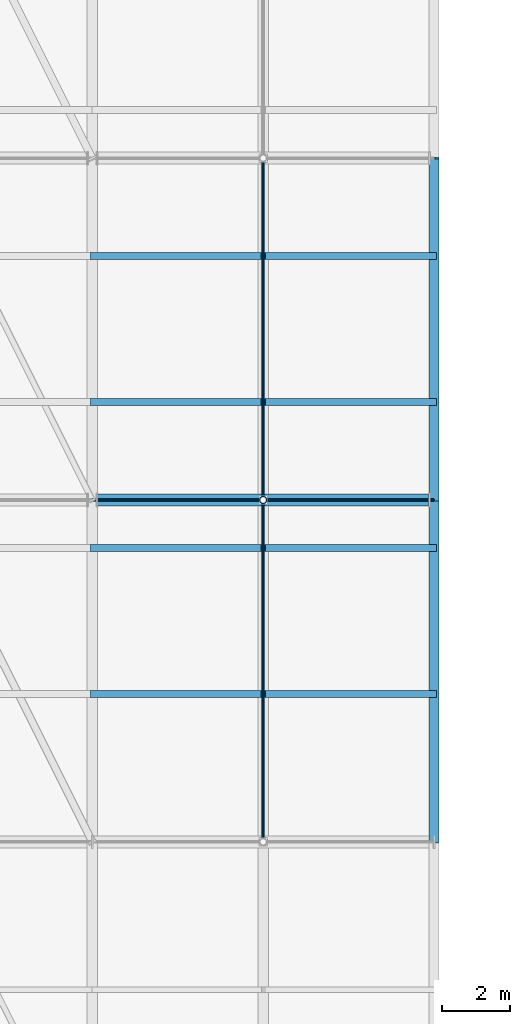
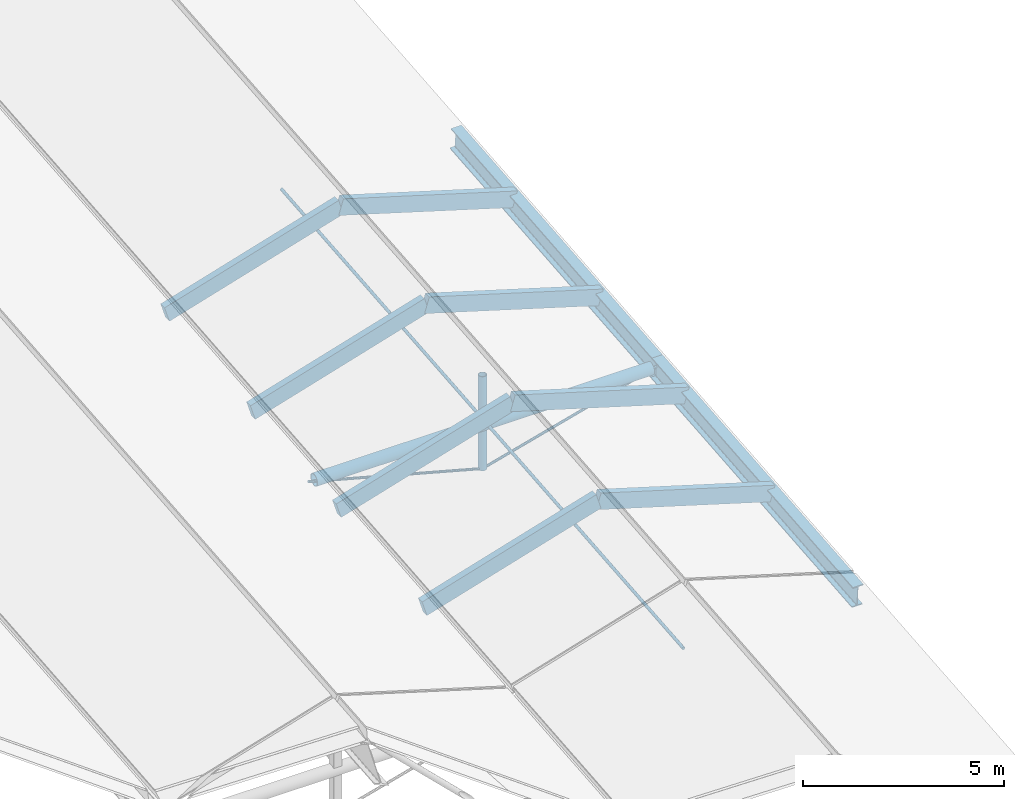
# One storey, part 35 of 90: 13 members, 3 beams.
"""IFC4 building model written with IfcOpenShell, lengths in metres."""

from ifc_helpers import new_model, si_unit, direction, frame, origin, origin_2d, place, context, subcontext, project, spatial, rectangle, circle, hollow_circle, i_section, extrude, material, material_profile, profile_set, type_object, element, save


model = new_model("IFC4")

# Units and contexts
model_context = context("Model", 3, precision=1e-05, world=origin(), true_north=direction((0.0, 1.0)))
body_context = subcontext(model_context, "Body", "Model", "MODEL_VIEW")
ifc_project = project(units=[si_unit("LENGTHUNIT", "METRE"), si_unit("AREAUNIT", "SQUARE_METRE"), si_unit("VOLUMEUNIT", "CUBIC_METRE"), si_unit("PLANEANGLEUNIT", "RADIAN"), si_unit("MASSUNIT", "GRAM", prefix="KILO"), si_unit("THERMODYNAMICTEMPERATUREUNIT", "KELVIN"), si_unit("POWERUNIT", "WATT")], contexts=[model_context])

# Site, building, storey
site_placement = place(None, origin())
site = spatial("IfcSite", under=ifc_project, at=site_placement, CompositionType="ELEMENT")
building_placement = place(site_placement, origin())
building = spatial("IfcBuilding", under=site, at=building_placement, Name="Korenveer Ferry Terminal", CompositionType="ELEMENT")
storey_placement = place(building_placement, frame((0.0, 0.0, 22.199951171875)))
storey = spatial("IfcBuildingStorey", under=building, at=storey_placement, Name="RF", CompositionType="ELEMENT", Elevation=22.199951171875)

# Beams
ifc_material_1 = material(Name="Steel S355", Category="steel")
ifc_material_profile_1 = material_profile(ifc_material_1, i_section(OverallWidth=0.300048828125, OverallDepth=0.64990234375, WebThickness=0.01611328125, FlangeThickness=0.031005859375, FilletRadius=0.027099609375, at=origin_2d()), Name="HEB 650")
ifc_profile_set_1 = profile_set([ifc_material_profile_1], Name="Steel S355")
beam_type_1 = type_object("IfcBeamType", Name="STR-BM-HEB650", PredefinedType="BEAM", material=ifc_profile_set_1)
beam_1_placement = place(storey_placement, frame((123.0, 50.0, -8.677734375), z_axis=(0.0, 0.995901174408, 0.090448055879), x_axis=(-1.0, 0.0, 0.0)))
element("IfcBeam", 1, at=beam_1_placement, inside=storey, type_object=beam_type_1, Name="Folded roof valley girder 56", PredefinedType="BEAM", context=body_context, shape_type="SweptSolid", body=[
    extrude(i_section(OverallWidth=0.300048828125, OverallDepth=0.64990234375, WebThickness=0.01611328125, FlangeThickness=0.031005859375, FilletRadius=0.027099609375, at=origin_2d()), origin(), (0.0, 0.0, 1.0), 10.041259765625),
])
beam_2_placement = place(storey_placement, frame((123.0, 60.0, -7.76953125), z_axis=(0.0, 0.995903364261, 0.090423940715), x_axis=(-1.0, 0.0, 0.0)))
element("IfcBeam", 2, at=beam_2_placement, inside=storey, type_object=beam_type_1, Name="Folded roof valley girder 57", PredefinedType="BEAM", context=body_context, shape_type="SweptSolid", body=[
    extrude(i_section(OverallWidth=0.300048828125, OverallDepth=0.64990234375, WebThickness=0.01611328125, FlangeThickness=0.031005859375, FilletRadius=0.027099609375, at=origin_2d()), origin(), (0.0, 0.0, 1.0), 10.041015625),
])

# Members
ifc_material_2 = material(Name="High-strength steel S460", Category="steel")
ifc_material_profile_2 = material_profile(ifc_material_2, circle(Radius=0.0380859375, at=origin_2d()), Name="ROD D76")
ifc_profile_set_2 = profile_set([ifc_material_profile_2], Name="High-strength steel S460")
member_type_1 = type_object("IfcMemberType", Name="STR-CBL-D76", PredefinedType="USERDEFINED", material=ifc_profile_set_2)
for number, where, z_axis, x_axis, name in (
    (3, (113.0, 60.0, -7.76953125), (0.965424337217, 0.0, -0.260683426993), (0.0, 1.0, 0.0), "Roof tension tie cable 41"),
    (4, (123.0, 60.0, -7.76953125), (-0.965424337217, 0.0, -0.260683426993), (0.0, -1.0, 0.0), "Roof tension tie cable 42"),
):
    element("IfcMember", number, at=place(storey_placement, frame(where, z_axis=z_axis, x_axis=x_axis)), inside=storey, type_object=member_type_1, Name=name, ObjectType="CABLE", PredefinedType="USERDEFINED", context=body_context, shape_type="SweptSolid", body=[
        extrude(circle(Radius=0.0380859375, at=origin_2d()), origin(), (0.0, 0.0, 1.0), 5.178955078125),
    ])
ifc_material_profile_3 = material_profile(ifc_material_2, circle(Radius=0.044921875, at=origin_2d()), Name="ROD D90")
ifc_profile_set_3 = profile_set([ifc_material_profile_3], Name="High-strength steel S460")
member_type_2 = type_object("IfcMemberType", Name="STR-CBL-D90", PredefinedType="USERDEFINED", material=ifc_profile_set_3)
for number, where, z_axis, x_axis, name in (
    (5, (118.0, 50.0, -8.517822265625), (0.0, 0.995903364261, 0.090423940715), (-1.0, 0.0, 0.0), "Longitudinal jaw-stay cable 129"),
    (6, (118.0, 60.0, -7.60986328125), (0.0, 0.995903364261, 0.090423940715), (-1.0, 0.0, 0.0), "Longitudinal jaw-stay cable 130"),
):
    element("IfcMember", number, at=place(storey_placement, frame(where, z_axis=z_axis, x_axis=x_axis)), inside=storey, type_object=member_type_2, Name=name, ObjectType="CABLE", PredefinedType="USERDEFINED", context=body_context, shape_type="SweptSolid", body=[
        extrude(circle(Radius=0.044921875, at=origin_2d()), origin(), (0.0, 0.0, 1.0), 10.041015625),
    ])
ifc_material_3 = material(Name="Glulam GL28h", Category="wood")
ifc_material_profile_4 = material_profile(ifc_material_3, rectangle(XDim=0.199951171875, YDim=0.47998046875, at=origin_2d()), Name="GL 200x480")
ifc_profile_set_4 = profile_set([ifc_material_profile_4], Name="Glulam GL28h")
member_type_3 = type_object("IfcMemberType", Name="STR-PUR-GL200", PredefinedType="PURLIN", material=ifc_profile_set_4)
for number, where, z_axis, x_axis, name in (
    (7, (113.0, 54.321533203125, -8.126953125), (0.957310140112, 0.0, 0.289062788401), (0.0, 1.0, 0.0), "Folded roof glulam purlin 229"),
    (8, (113.0, 58.5927734375, -7.739013671875), (0.957310140112, 0.0, 0.289062788401), (0.0, 1.0, 0.0), "Folded roof glulam purlin 230"),
    (9, (113.0, 62.8642578125, -7.351318359375), (0.957310140112, 0.0, 0.289062788401), (0.0, 1.0, 0.0), "Folded roof glulam purlin 231"),
    (10, (113.0, 67.1357421875, -6.96337890625), (0.957310140112, 0.0, 0.289062788401), (0.0, 1.0, 0.0), "Folded roof glulam purlin 232"),
    (11, (118.0, 54.321533203125, -6.6171875), (0.957310140112, 0.0, -0.289062788401), (0.0, 1.0, 0.0), "Folded roof glulam purlin 235"),
    (12, (118.0, 58.5927734375, -6.229248046875), (0.957310140112, 0.0, -0.289062788401), (0.0, 1.0, 0.0), "Folded roof glulam purlin 236"),
    (13, (118.0, 62.8642578125, -5.841552734375), (0.957310140112, 0.0, -0.289062788401), (0.0, 1.0, 0.0), "Folded roof glulam purlin 237"),
    (14, (118.0, 67.1357421875, -5.45361328125), (0.957310140112, 0.0, -0.289062788401), (0.0, 1.0, 0.0), "Folded roof glulam purlin 238"),
):
    element("IfcMember", number, at=place(storey_placement, frame(where, z_axis=z_axis, x_axis=x_axis)), inside=storey, type_object=member_type_3, Name=name, PredefinedType="PURLIN", context=body_context, shape_type="SweptSolid", body=[
        extrude(rectangle(XDim=0.199951171875, YDim=0.47998046875, at=origin_2d()), origin(), (0.0, 0.0, 1.0), 5.222900390625),
    ])

# Beam
ifc_material_profile_5 = material_profile(ifc_material_1, hollow_circle(Radius=0.177734375, WallThickness=0.01611328125, at=origin_2d()), Name="CHS 355.6x16")
ifc_profile_set_5 = profile_set([ifc_material_profile_5], Name="Steel S355")
beam_type_2 = type_object("IfcBeamType", Name="STR-RFG-CHS355", PredefinedType="USERDEFINED", material=ifc_profile_set_5)
beam_3_placement = place(storey_placement, frame((113.159912109375, 60.0, -7.76953125), z_axis=(1.0, 0.0, 0.0), x_axis=(0.0, 1.0, 0.0)))
element("IfcBeam", 15, at=beam_3_placement, inside=storey, type_object=beam_type_2, Name="Roof transverse tie girder 109", ObjectType="ROOF GIRDER", PredefinedType="USERDEFINED", context=body_context, shape_type="SweptSolid", body=[
    extrude(hollow_circle(Radius=0.177734375, WallThickness=0.01611328125, at=origin_2d()), origin(), (0.0, 0.0, 1.0), 9.68017578125),
])

# Member
ifc_material_profile_6 = material_profile(ifc_material_1, hollow_circle(Radius=0.109619140625, WallThickness=0.012451171875, at=origin_2d()), Name="CHS 219.1x12.5")
ifc_profile_set_6 = profile_set([ifc_material_profile_6], Name="Steel S355")
member_type_4 = type_object("IfcMemberType", Name="STR-STT-CHS219", PredefinedType="STRUT", material=ifc_profile_set_6)
member_placement = place(storey_placement, frame((118.0, 60.0, -9.11962890625), z_axis=(0.0, 0.0, 1.0), x_axis=(1.0, 0.0, 0.0)))
element("IfcMember", 16, at=member_placement, inside=storey, type_object=member_type_4, Name="Roof king-post strut STTKP-Y60-B6", PredefinedType="STRUT", context=body_context, shape_type="SweptSolid", body=[
    extrude(hollow_circle(Radius=0.109619140625, WallThickness=0.012451171875, at=origin_2d()), origin(), (0.0, 0.0, 1.0), 2.859619140625),
])

save(model, "model.ifc")
